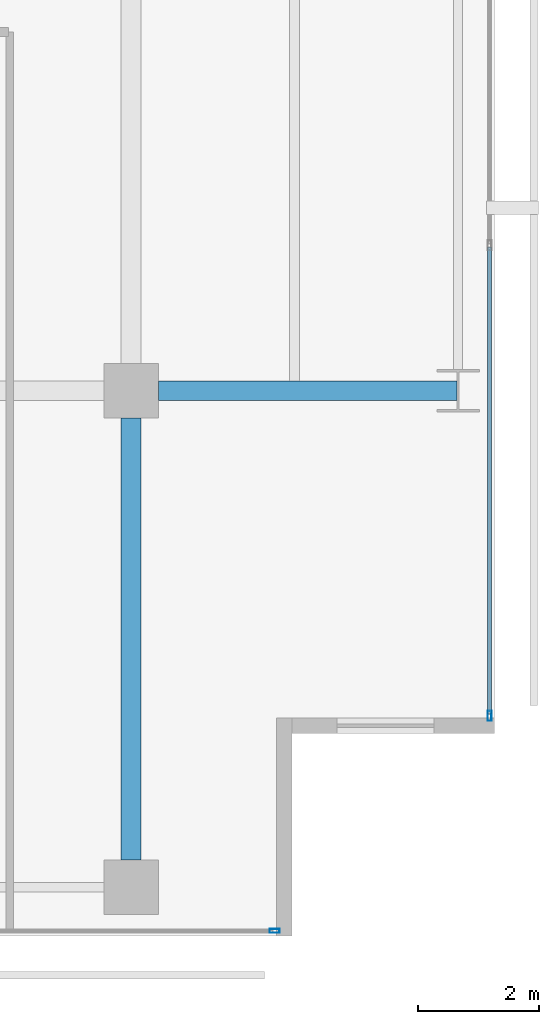
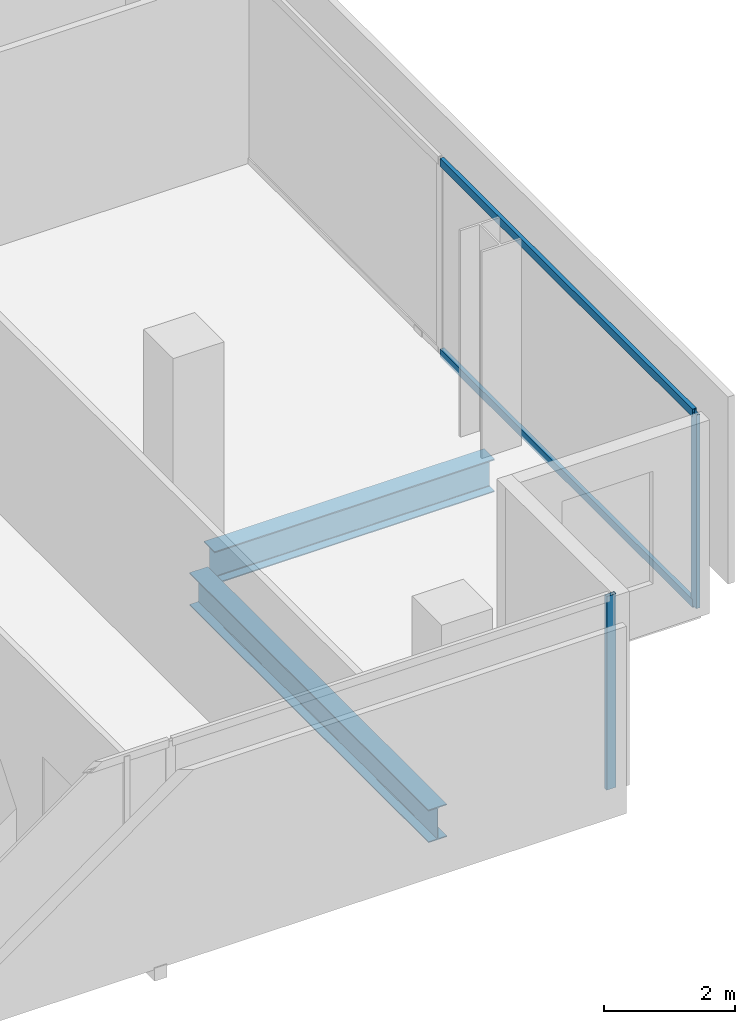
# One storey, part 16 of 40: 4 members, 2 beams, 2 elements without a shape of their own.
"""IFC4 building model written with IfcOpenShell, lengths in metres."""

from ifc_helpers import new_model, si_unit, direction, frame, origin, origin_2d, place, context, subcontext, project, spatial, hollow_rectangle, i_section, extrude, material, layer, layer_set, material_profile, profile_set, type_object, element, aggregate, save


model = new_model("IFC4")

# Units and contexts
model_context = context("Model", 3, precision=1e-05, world=origin(), true_north=direction((0.0, 1.0)))
body_context = subcontext(model_context, "Body", "Model", "MODEL_VIEW")
ifc_project = project(units=[si_unit("LENGTHUNIT", "METRE"), si_unit("AREAUNIT", "SQUARE_METRE"), si_unit("VOLUMEUNIT", "CUBIC_METRE"), si_unit("PLANEANGLEUNIT", "RADIAN"), si_unit("MASSUNIT", "GRAM", prefix="KILO")], contexts=[model_context])

# Site, building, storey
site_placement = place(None, origin())
site = spatial("IfcSite", under=ifc_project, at=site_placement, CompositionType="ELEMENT")
building_placement = place(site_placement, origin())
building = spatial("IfcBuilding", under=site, at=building_placement, Name="Maruvema Waterfront Hotel and Observation Tower", CompositionType="ELEMENT")
storey_placement = place(building_placement, frame((0.0, 0.0, 100.10009765625)))
storey = spatial("IfcBuildingStorey", under=building, at=storey_placement, Name="L24", CompositionType="ELEMENT", Elevation=100.10009765625)

# Curtain wall, members
ifc_material_1 = material(Name="Anodised bronze aluminium and solar-control low-E IGU", Category="aluminium")
ifc_layer = layer(ifc_material_1, 0.159912109375, Name="Zone 1 Bronze Inner Thermal Curtain Wall System CW-02")
ifc_layer_set = layer_set([ifc_layer], Name="Anodised bronze aluminium and solar-control low-E IGU")
curtain_wall_type = type_object("IfcCurtainWallType", Name="Zone 1 Bronze Inner Thermal Curtain Wall System CW-02", PredefinedType="USERDEFINED", material=ifc_layer_set)
curtain_wall_1_placement = place(storey_placement, origin())
curtain_wall_1 = element("IfcCurtainWall", 1, at=curtain_wall_1_placement, inside=storey, type_object=curtain_wall_type, Name="L24 Curtain Wall CW-L24-E", ObjectType="UNITISED CURTAIN WALL", PredefinedType="USERDEFINED")
ifc_material_2 = material(Name="Anodised architectural bronze aluminium", Category="aluminium")
ifc_material_profile_1 = material_profile(ifc_material_2, hollow_rectangle(XDim=0.070068359375, YDim=0.14990234375, WallThickness=0.00390625, at=origin_2d()), Name="ALU-T70x150")
ifc_profile_set_1 = profile_set([ifc_material_profile_1], Name="Anodised architectural bronze aluminium")
member_type_1 = type_object("IfcMemberType", Name="Curtain Wall Horizontal Transom ALU-T70x150", PredefinedType="USERDEFINED", material=ifc_profile_set_1)
member_1_placement = place(storey_placement, frame((64.719970703125, 3.659912109375, 0.02978515625), z_axis=(0.0, 1.0, 0.0), x_axis=(-1.0, 0.0, 0.0)))
member_1 = element("IfcMember", 2, at=member_1_placement, type_object=member_type_1, Name="CW-02 transom 1.1", ObjectType="TRANSOM", PredefinedType="USERDEFINED", context=body_context, shape_type="SweptSolid", body=[
    extrude(hollow_rectangle(XDim=0.070068359375, YDim=0.14990234375, WallThickness=0.00390625, at=origin_2d()), origin(), (0.0, 0.0, 1.0), 7.710205078125),
])
member_2_placement = place(storey_placement, frame((64.719970703125, 3.659912109375, 3.579833984375), z_axis=(0.0, 1.0, 0.0), x_axis=(-1.0, 0.0, 0.0)))
member_2 = element("IfcMember", 3, at=member_2_placement, type_object=member_type_1, Name="CW-02 transom 1.2", ObjectType="TRANSOM", PredefinedType="USERDEFINED", context=body_context, shape_type="SweptSolid", body=[
    extrude(hollow_rectangle(XDim=0.070068359375, YDim=0.14990234375, WallThickness=0.00390625, at=origin_2d()), origin(), (0.0, 0.0, 1.0), 7.710205078125),
])

# Curtain wall, member
curtain_wall_2_placement = place(storey_placement, origin())
curtain_wall_2 = element("IfcCurtainWall", 4, at=curtain_wall_2_placement, inside=storey, type_object=curtain_wall_type, Name="L24 Curtain Wall CW-L24-S", ObjectType="UNITISED CURTAIN WALL", PredefinedType="USERDEFINED")
ifc_material_3 = material(Name="Anodised architectural bronze aluminium", Category="aluminium")
ifc_material_profile_2 = material_profile(ifc_material_3, hollow_rectangle(XDim=0.06494140625, YDim=0.1650390625, WallThickness=0.00390625, at=origin_2d()), Name="ALU-M65x165")
ifc_profile_set_2 = profile_set([ifc_material_profile_2], Name="Anodised architectural bronze aluminium")
member_type_2 = type_object("IfcMemberType", Name="Curtain Wall Primary Mullion ALU-M65x165", PredefinedType="MULLION", material=ifc_profile_set_2)
member_3_placement = place(storey_placement, frame((61.169921875, 0.080078125, 0.0), z_axis=(0.0, 0.0, 1.0), x_axis=(0.0, 1.0, 0.0)))
member_3 = element("IfcMember", 5, at=member_3_placement, type_object=member_type_2, Name="CW-02 mullion 7", PredefinedType="MULLION", context=body_context, shape_type="SweptSolid", body=[
    extrude(hollow_rectangle(XDim=0.06494140625, YDim=0.1650390625, WallThickness=0.00390625, at=origin_2d()), origin(), (0.0, 0.0, 1.0), 3.60986328125),
])
aggregate(curtain_wall_2, [member_3])

# Member
member_4_placement = place(storey_placement, frame((64.719970703125, 3.6298828125, 0.0), z_axis=(0.0, 0.0, 1.0), x_axis=(-1.0, 0.0, 0.0)))
member_4 = element("IfcMember", 6, at=member_4_placement, type_object=member_type_2, Name="CW-02 mullion 1", PredefinedType="MULLION", context=body_context, shape_type="SweptSolid", body=[
    extrude(hollow_rectangle(XDim=0.06494140625, YDim=0.1650390625, WallThickness=0.00390625, at=origin_2d()), origin(), (0.0, 0.0, 1.0), 3.60986328125),
])

aggregate(curtain_wall_1, [member_4, member_1, member_2])

# Beams
ifc_material_4 = material(Name="Steel ASTM A572 Grade 50", Category="steel")
ifc_material_profile_3 = material_profile(ifc_material_4, i_section(OverallWidth=0.323974609375, OverallDepth=0.611083984375, WebThickness=0.0126953125, FlangeThickness=0.01904296875, FilletRadius=0.01806640625, at=origin_2d()), Name="W610x155.0")
ifc_profile_set_3 = profile_set([ifc_material_profile_3], Name="Steel ASTM A572 Grade 50")
beam_type = type_object("IfcBeamType", Name="Primary Floor Girder W610x155.0", PredefinedType="BEAM", material=ifc_profile_set_3)
beam_1_placement = place(storey_placement, frame((59.25, 9.0, -0.545654296875), z_axis=(1.0, 0.0, 0.0), x_axis=(0.0, 1.0, 0.0)))
element("IfcBeam", 7, at=beam_1_placement, inside=storey, type_object=beam_type, Name="L24 Floor Girder EW-12", PredefinedType="BEAM", context=body_context, shape_type="SweptSolid", body=[
    extrude(i_section(OverallWidth=0.323974609375, OverallDepth=0.611083984375, WebThickness=0.0126953125, FlangeThickness=0.01904296875, FilletRadius=0.01806640625, at=origin_2d()), origin(), (0.0, 0.0, 1.0), 4.93603515625),
])
beam_2_placement = place(storey_placement, frame((58.800048828125, 1.25, -0.545654296875), z_axis=(0.0, 1.0, 0.0), x_axis=(-1.0, 0.0, 0.0)))
element("IfcBeam", 8, at=beam_2_placement, inside=storey, type_object=beam_type, Name="L24 Floor Girder NS-27", PredefinedType="BEAM", context=body_context, shape_type="SweptSolid", body=[
    extrude(i_section(OverallWidth=0.323974609375, OverallDepth=0.611083984375, WebThickness=0.0126953125, FlangeThickness=0.01904296875, FilletRadius=0.01806640625, at=origin_2d()), origin(), (0.0, 0.0, 1.0), 7.300048828125),
])

save(model, "model.ifc")
